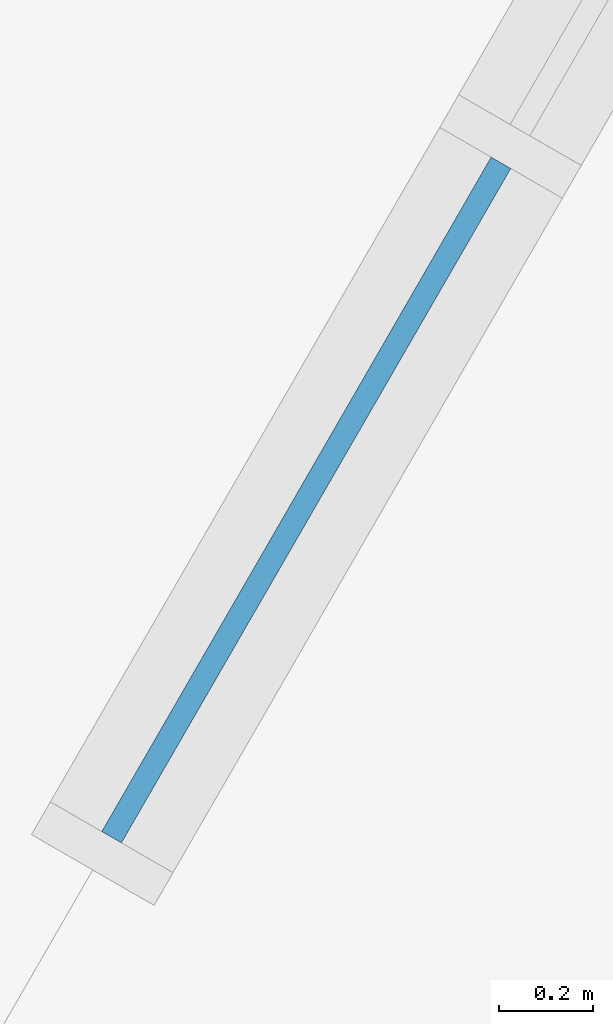
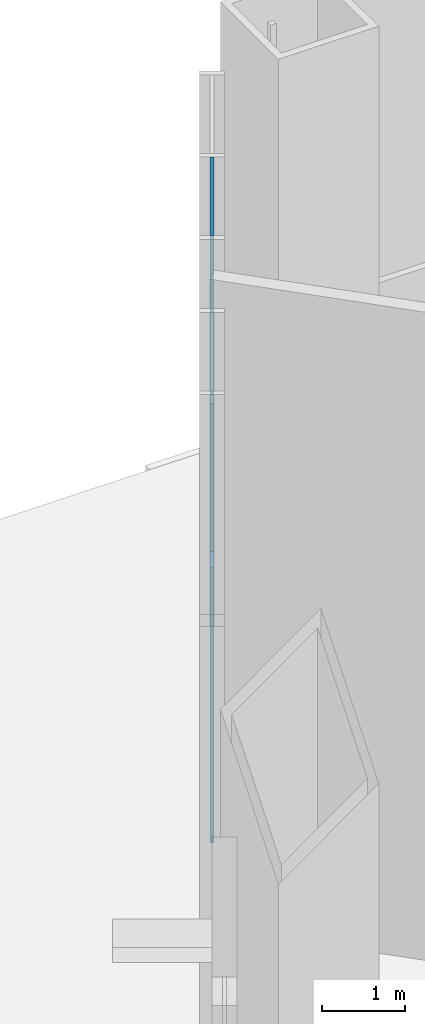
# One storey, part 8 of 18: 2 plates, 1 element without a shape of its own.
"""IFC4 building model written with IfcOpenShell, lengths in metres."""

from ifc_helpers import new_model, si_unit, direction, frame, origin, origin_2d, place, context, subcontext, project, spatial, rectangle, extrude, material, layer, layer_set, type_object, element, aggregate, save


model = new_model("IFC4")

# Units and contexts
model_context = context("Model", 3, precision=1e-05, world=origin(), true_north=direction((0.0, 1.0)))
body_context = subcontext(model_context, "Body", "Model", "MODEL_VIEW")
ifc_project = project(units=[si_unit("LENGTHUNIT", "METRE"), si_unit("AREAUNIT", "SQUARE_METRE"), si_unit("VOLUMEUNIT", "CUBIC_METRE"), si_unit("PLANEANGLEUNIT", "RADIAN"), si_unit("MASSUNIT", "GRAM", prefix="KILO")], contexts=[model_context])

# Site, building, storey
site_placement = place(None, origin())
site = spatial("IfcSite", under=ifc_project, at=site_placement, CompositionType="ELEMENT")
building_placement = place(site_placement, origin())
building = spatial("IfcBuilding", under=site, at=building_placement, Name="Cormorant Prow Tower", CompositionType="ELEMENT")
storey_placement = place(building_placement, origin())
storey = spatial("IfcBuildingStorey", under=building, at=storey_placement, Name="L00", CompositionType="ELEMENT", Elevation=0.0)

# Curtain wall, plates
ifc_material_1 = material(Name="Aluminium 6063-T6", Category="aluminium")
ifc_layer_1 = layer(ifc_material_1, 0.300048828125)
ifc_layer_set_1 = layer_set([ifc_layer_1], Name="Aluminium 6063-T6")
curtain_wall_type = type_object("IfcCurtainWallType", Name="Concourse unitised curtain wall 300", PredefinedType="NOTDEFINED", material=ifc_layer_set_1)
curtain_wall_placement = place(storey_placement, origin())
curtain_wall = element("IfcCurtainWall", 1, at=curtain_wall_placement, inside=storey, type_object=curtain_wall_type, Name="Concourse curtain wall WNW00", PredefinedType="NOTDEFINED")
ifc_material_2 = material(Name="Clear glass", Category="glass")
ifc_layer_2 = layer(ifc_material_2, 0.048095703125)
ifc_layer_set_2 = layer_set([ifc_layer_2], Name="Clear glass")
plate_type = type_object("IfcPlateType", Name="Concourse glass panel 48", PredefinedType="CURTAIN_PANEL", material=ifc_layer_set_2)
plate_1_placement = place(storey_placement, frame((-8.6826171875, 29.994873046875, 0.60009765625), z_axis=(0.0, 0.0, 1.0), x_axis=(-0.500000001632, -0.866025402842, 0.0)))
plate_1 = element("IfcPlate", 2, at=plate_1_placement, type_object=plate_type, Name="Concourse glass panel WNW00", PredefinedType="CURTAIN_PANEL", context=body_context, shape_type="SweptSolid", body=[
    extrude(rectangle(XDim=1.64990234375, YDim=0.048095703125, at=origin_2d()), origin(), (0.0, 0.0, 1.0), 4.054931640625),
])
plate_2_placement = place(storey_placement, frame((-8.6826171875, 29.994873046875, 4.89501953125), z_axis=(0.0, 0.0, 1.0), x_axis=(-0.500000001632, -0.866025402842, 0.0)))
plate_2 = element("IfcPlate", 3, at=plate_2_placement, type_object=plate_type, Name="Concourse glass panel WNW00", PredefinedType="CURTAIN_PANEL", context=body_context, shape_type="SweptSolid", body=[
    extrude(rectangle(XDim=1.64990234375, YDim=0.048095703125, at=origin_2d()), origin(), (0.0, 0.0, 1.0), 4.655029296875),
])
aggregate(curtain_wall, [plate_1, plate_2])

save(model, "model.ifc")
